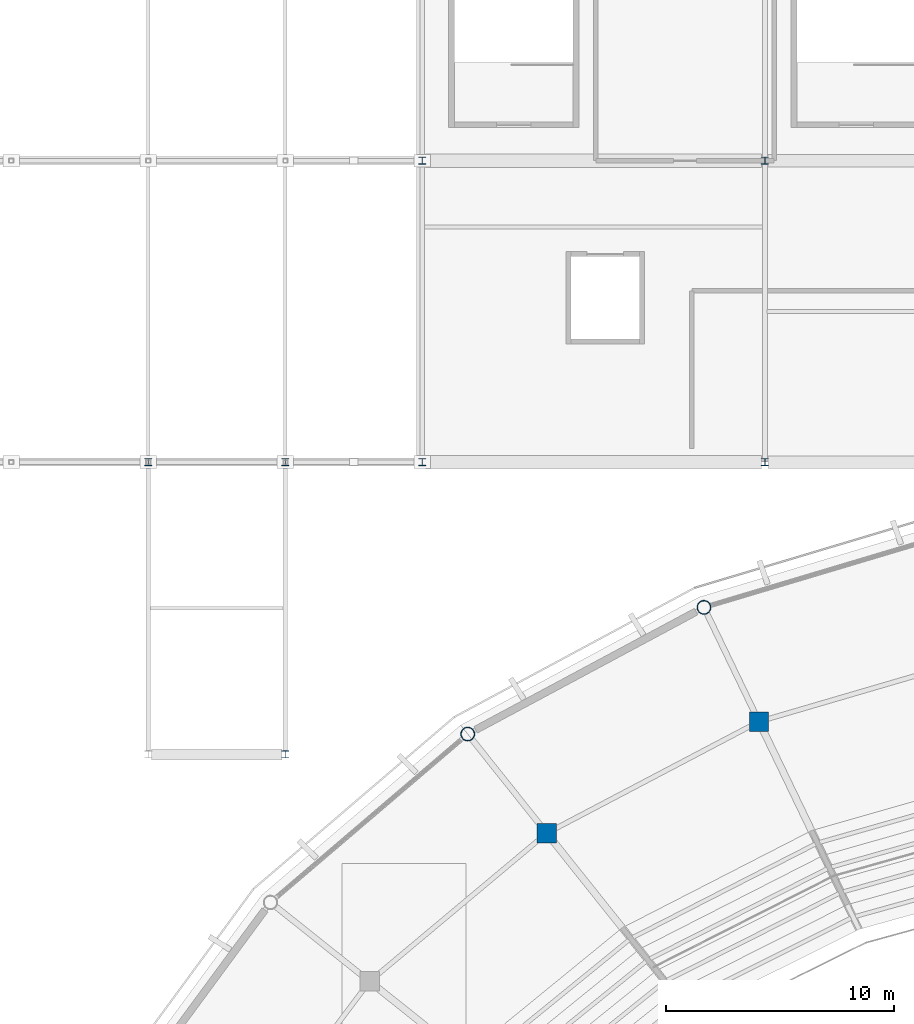
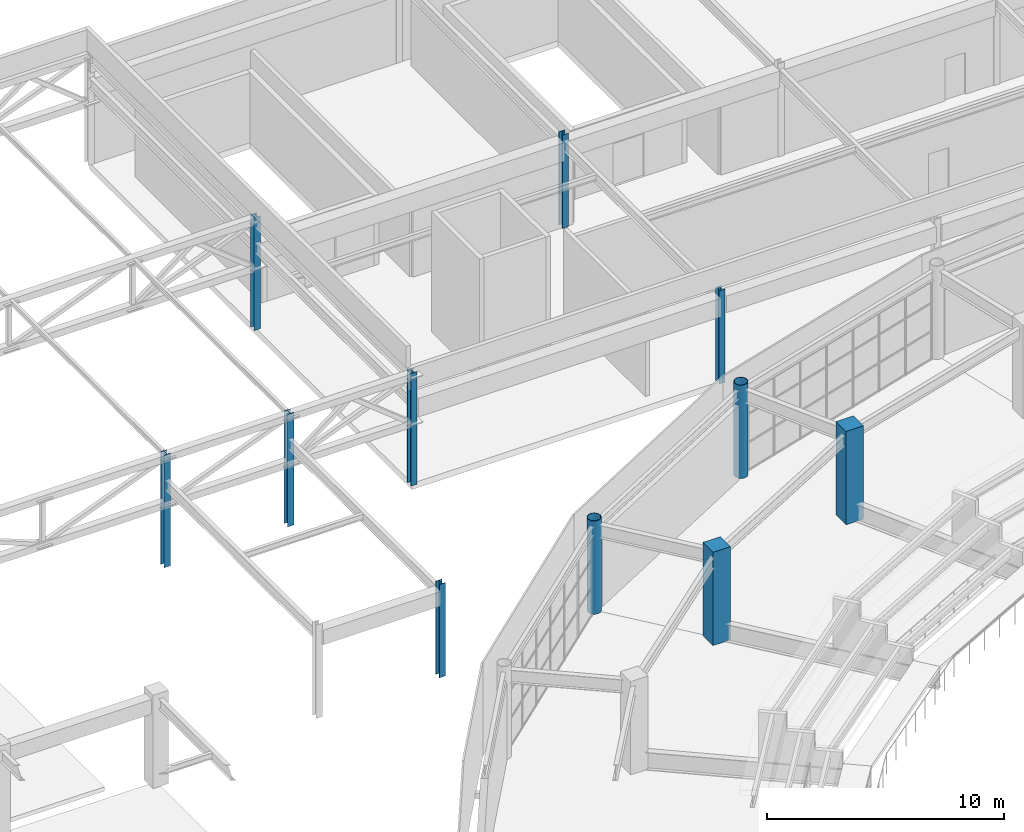
# One storey, part 9 of 122: 11 columns.
"""IFC4 building model written with IfcOpenShell, lengths in metres."""

from ifc_helpers import new_model, si_unit, direction, frame, origin, origin_2d, place, context, subcontext, project, spatial, rectangle, hollow_circle, i_section, extrude, material, material_profile, profile_set, type_object, element, save


model = new_model("IFC4")

# Units and contexts
model_context = context("Model", 3, precision=1e-05, world=origin(), true_north=direction((0.0, 1.0)))
body_context = subcontext(model_context, "Body", "Model", "MODEL_VIEW")
ifc_project = project(units=[si_unit("LENGTHUNIT", "METRE"), si_unit("AREAUNIT", "SQUARE_METRE"), si_unit("VOLUMEUNIT", "CUBIC_METRE"), si_unit("PLANEANGLEUNIT", "RADIAN"), si_unit("MASSUNIT", "GRAM", prefix="KILO")], contexts=[model_context])

# Site, building, storey
site_placement = place(None, origin())
site = spatial("IfcSite", under=ifc_project, at=site_placement, CompositionType="ELEMENT")
building_placement = place(site_placement, origin())
building = spatial("IfcBuilding", under=site, at=building_placement, Name="Cuetzalor Civic Arena", CompositionType="ELEMENT")
storey_placement = place(building_placement, frame((0.0, 0.0, 16.199951171875)))
storey = spatial("IfcBuildingStorey", under=building, at=storey_placement, Name="L03", CompositionType="ELEMENT", Elevation=16.199951171875)

# Columns
ifc_material_1 = material(Name="Concrete C40/50", Category="concrete")
ifc_material_profile_1 = material_profile(ifc_material_1, rectangle(XDim=0.85009765625, YDim=0.85009765625, at=origin_2d()), Name="RC 850x850")
ifc_profile_set_1 = profile_set([ifc_material_profile_1], Name="Concrete C40/50")
column_type_1 = type_object("IfcColumnType", Name="ConcreteColumn_850", PredefinedType="COLUMN", material=ifc_profile_set_1)
for number, where, z_axis, x_axis, name in (
    (1, (-21.26025390625, 36.939697265625, 0.0), (0.0, 0.0, 1.0), (1.0, 0.0, 0.0), "Column V1-REC-10 L03"),
    (2, (-30.551025390625, 32.05517578125, 0.0), (0.0, 0.0, 1.0), (1.0, 0.0, 0.0), "Column V1-REC-11 L03"),
):
    element("IfcColumn", number, at=place(storey_placement, frame(where, z_axis=z_axis, x_axis=x_axis)), inside=storey, type_object=column_type_1, Name=name, PredefinedType="COLUMN", context=body_context, shape_type="SweptSolid", body=[
        extrude(rectangle(XDim=0.85009765625, YDim=0.85009765625, at=origin_2d()), origin(), (0.0, 0.0, 1.0), 4.800048828125),
    ])
ifc_material_2 = material(Name="Steel S355", Category="steel")
ifc_material_profile_2 = material_profile(ifc_material_2, hollow_circle(Radius=0.304931640625, WallThickness=0.02490234375, at=origin_2d()), Name="CHS 610x25")
ifc_profile_set_2 = profile_set([ifc_material_profile_2], Name="Steel S355")
column_type_2 = type_object("IfcColumnType", Name="SteelDomePylon_CHS610", PredefinedType="COLUMN", material=ifc_profile_set_2)
for number, where, z_axis, x_axis, name in (
    (3, (-23.66845703125, 41.940185546875, 0.0), (0.0, 0.0, 1.0), (1.0, 0.0, 0.0), "Column V1-PYL-10 L03"),
    (4, (-34.011474609375, 36.394287109375, 0.0), (0.0, 0.0, 1.0), (1.0, 0.0, 0.0), "Column V1-PYL-11 L03"),
):
    element("IfcColumn", number, at=place(storey_placement, frame(where, z_axis=z_axis, x_axis=x_axis)), inside=storey, type_object=column_type_2, Name=name, PredefinedType="COLUMN", context=body_context, shape_type="SweptSolid", body=[
        extrude(hollow_circle(Radius=0.304931640625, WallThickness=0.02490234375, at=origin_2d()), origin(), (0.0, 0.0, 1.0), 4.800048828125),
    ])
ifc_material_3 = material(Name="Steel S355", Category="steel")
ifc_material_profile_3 = material_profile(ifc_material_3, i_section(OverallWidth=0.304931640625, OverallDepth=0.30810546875, WebThickness=0.010009765625, FlangeThickness=0.015380859375, at=origin_2d()), Name="W310x97")
ifc_profile_set_3 = profile_set([ifc_material_profile_3], Name="Steel S355")
column_type_3 = type_object("IfcColumnType", Name="SteelGalleryColumn_W310", PredefinedType="COLUMN", material=ifc_profile_set_3)
column_1_placement = place(storey_placement, frame((-48.0, 48.300048828125, 0.0), z_axis=(0.0, 0.0, 1.0), x_axis=(1.0, 0.0, 0.0)))
element("IfcColumn", 5, at=column_1_placement, inside=storey, type_object=column_type_3, Name="Column V5-C-03-02 L03", PredefinedType="COLUMN", context=body_context, shape_type="SweptSolid", body=[
    extrude(i_section(OverallWidth=0.304931640625, OverallDepth=0.30810546875, WebThickness=0.010009765625, FlangeThickness=0.015380859375, at=origin_2d()), origin(), (0.0, 0.0, 1.0), 5.800048828125),
])
column_2_placement = place(storey_placement, frame((-42.0, 35.5, 0.0), z_axis=(0.0, 0.0, 1.0), x_axis=(1.0, 0.0, 0.0)))
element("IfcColumn", 6, at=column_2_placement, inside=storey, type_object=column_type_3, Name="Column V5-C-04-01 L03", PredefinedType="COLUMN", context=body_context, shape_type="SweptSolid", body=[
    extrude(i_section(OverallWidth=0.304931640625, OverallDepth=0.30810546875, WebThickness=0.010009765625, FlangeThickness=0.015380859375, at=origin_2d()), origin(), (0.0, 0.0, 1.0), 4.800048828125),
])
for number, where, z_axis, x_axis, name in (
    (7, (-42.0, 48.300048828125, 0.0), (0.0, 0.0, 1.0), (1.0, 0.0, 0.0), "Column V5-C-04-02 L03"),
    (8, (-36.0, 48.300048828125, 0.0), (0.0, 0.0, 1.0), (1.0, 0.0, 0.0), "Column V5-C-05-02 L03"),
    (9, (-36.0, 61.5, 0.0), (0.0, 0.0, 1.0), (1.0, 0.0, 0.0), "Column V5-C-05-04 L03"),
):
    element("IfcColumn", number, at=place(storey_placement, frame(where, z_axis=z_axis, x_axis=x_axis)), inside=storey, type_object=column_type_3, Name=name, PredefinedType="COLUMN", context=body_context, shape_type="SweptSolid", body=[
        extrude(i_section(OverallWidth=0.304931640625, OverallDepth=0.30810546875, WebThickness=0.010009765625, FlangeThickness=0.015380859375, at=origin_2d()), origin(), (0.0, 0.0, 1.0), 5.800048828125),
    ])
for number, where, z_axis, x_axis, name in (
    (10, (-21.0, 48.300048828125, 0.0), (0.0, 0.0, 1.0), (1.0, 0.0, 0.0), "Column V5-C-06-02 L03"),
    (11, (-21.0, 61.5, 0.0), (0.0, 0.0, 1.0), (1.0, 0.0, 0.0), "Column V5-C-06-04 L03"),
):
    element("IfcColumn", number, at=place(storey_placement, frame(where, z_axis=z_axis, x_axis=x_axis)), inside=storey, type_object=column_type_3, Name=name, PredefinedType="COLUMN", context=body_context, shape_type="SweptSolid", body=[
        extrude(i_section(OverallWidth=0.304931640625, OverallDepth=0.30810546875, WebThickness=0.010009765625, FlangeThickness=0.015380859375, at=origin_2d()), origin(), (0.0, 0.0, 1.0), 4.800048828125),
    ])

save(model, "model.ifc")
